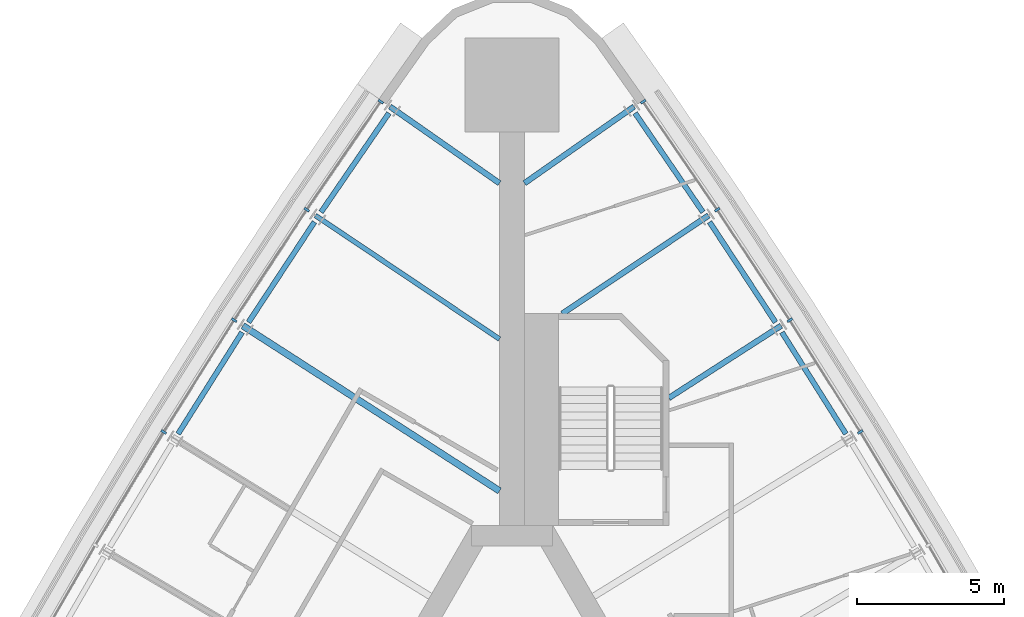
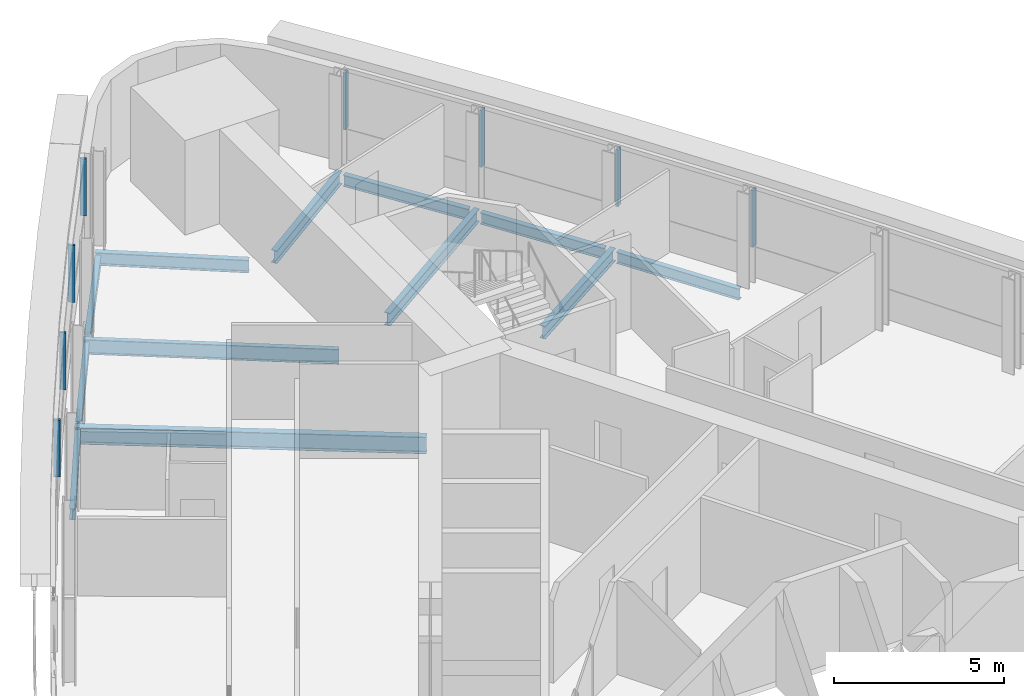
# One storey, part 7 of 14: 12 beams, 8 members, 2 elements without a shape of their own.
"""IFC4 building model written with IfcOpenShell, lengths in metres."""

from ifc_helpers import new_model, si_unit, direction, frame, origin, origin_2d, place, context, subcontext, project, spatial, rectangle, i_section, extrude, material, material_profile, profile_set, type_object, element, aggregate, save


model = new_model("IFC4")

# Units and contexts
model_context = context("Model", 3, precision=1e-05, world=origin(), true_north=direction((0.0, 1.0)))
body_context = subcontext(model_context, "Body", "Model", "MODEL_VIEW")
ifc_project = project(units=[si_unit("LENGTHUNIT", "METRE"), si_unit("AREAUNIT", "SQUARE_METRE"), si_unit("VOLUMEUNIT", "CUBIC_METRE"), si_unit("PLANEANGLEUNIT", "RADIAN"), si_unit("MASSUNIT", "GRAM", prefix="KILO")], contexts=[model_context])

# Site, building, storey
site_placement = place(None, origin())
site = spatial("IfcSite", under=ifc_project, at=site_placement, CompositionType="ELEMENT")
building_placement = place(site_placement, origin())
building = spatial("IfcBuilding", under=site, at=building_placement, Name="Noor Cloister Tower", CompositionType="ELEMENT")
storey_placement = place(building_placement, frame((0.0, 0.0, 76.199951171875)))
storey = spatial("IfcBuildingStorey", under=building, at=storey_placement, Name="L19", CompositionType="ELEMENT", Elevation=76.199951171875)

# Curtain wall, members
ifc_material_1 = material(Name="Aluminium 6063-T6 anodised", Category="aluminium")
curtain_wall_type = type_object("IfcCurtainWallType", Name="Ribbon curtain wall, lower tower CW1", PredefinedType="NOTDEFINED", material=ifc_material_1)
curtain_wall_1_placement = place(storey_placement, origin())
curtain_wall_1 = element("IfcCurtainWall", 1, at=curtain_wall_1_placement, inside=storey, type_object=curtain_wall_type, Name="CW1 L19 NW run 1", PredefinedType="NOTDEFINED")
ifc_material_2 = material(Name="Aluminium 6063-T6 anodised", Category="aluminium")
ifc_material_profile_1 = material_profile(ifc_material_2, rectangle(XDim=0.199951171875, YDim=0.080078125, at=origin_2d()), Name="200 x 80 mullion")
ifc_profile_set_1 = profile_set([ifc_material_profile_1], Name="Aluminium 6063-T6 anodised")
member_type = type_object("IfcMemberType", Name="Mullion CW1 80 x 200", PredefinedType="MULLION", material=ifc_profile_set_1)
member_1_placement = place(storey_placement, frame((-4.46435546875, 25.875732421875, 1.10009765625), z_axis=(0.0, 0.0, 1.0), x_axis=(0.82490173468, -0.56527615209, 0.0)))
member_1 = element("IfcMember", 2, at=member_1_placement, type_object=member_type, Name="CW1 mullion 1", PredefinedType="MULLION", context=body_context, shape_type="SweptSolid", body=[
    extrude(rectangle(XDim=0.199951171875, YDim=0.080078125, at=origin_2d()), origin(), (0.0, 0.0, 1.0), 2.050048828125),
])
member_2_placement = place(storey_placement, frame((-6.98486328125, 22.197509765625, 1.10009765625), z_axis=(0.0, 0.0, 1.0), x_axis=(0.830316014235, -0.557292846272, 0.0)))
member_2 = element("IfcMember", 3, at=member_2_placement, type_object=member_type, Name="CW1 mullion 2", PredefinedType="MULLION", context=body_context, shape_type="SweptSolid", body=[
    extrude(rectangle(XDim=0.199951171875, YDim=0.080078125, at=origin_2d()), origin(), (0.0, 0.0, 1.0), 2.050048828125),
])
member_3_placement = place(storey_placement, frame((-9.455322265625, 18.43896484375, 1.10009765625), z_axis=(0.0, 0.0, 1.0), x_axis=(0.840912290577, -0.541171432687, 0.0)))
member_3 = element("IfcMember", 4, at=member_3_placement, type_object=member_type, Name="CW1 mullion 3", PredefinedType="MULLION", context=body_context, shape_type="SweptSolid", body=[
    extrude(rectangle(XDim=0.199951171875, YDim=0.080078125, at=origin_2d()), origin(), (0.0, 0.0, 1.0), 2.050048828125),
])
member_4_placement = place(storey_placement, frame((-11.85302734375, 14.633056640625, 1.10009765625), z_axis=(0.0, 0.0, 1.0), x_axis=(0.851195604462, -0.524848590496, 0.0)))
member_4 = element("IfcMember", 5, at=member_4_placement, type_object=member_type, Name="CW1 mullion 4", PredefinedType="MULLION", context=body_context, shape_type="SweptSolid", body=[
    extrude(rectangle(XDim=0.199951171875, YDim=0.080078125, at=origin_2d()), origin(), (0.0, 0.0, 1.0), 2.050048828125),
])
aggregate(curtain_wall_1, [member_1, member_2, member_3, member_4])

curtain_wall_2_placement = place(storey_placement, origin())
curtain_wall_2 = element("IfcCurtainWall", 6, at=curtain_wall_2_placement, inside=storey, type_object=curtain_wall_type, Name="CW1 L19 NE run 3", PredefinedType="NOTDEFINED")
member_5_placement = place(storey_placement, frame((11.85302734375, 14.633056640625, 1.10009765625), z_axis=(0.0, 0.0, 1.0), x_axis=(-0.851195604462, -0.524848590496, 0.0)))
member_5 = element("IfcMember", 7, at=member_5_placement, type_object=member_type, Name="CW1 mullion 7", PredefinedType="MULLION", context=body_context, shape_type="SweptSolid", body=[
    extrude(rectangle(XDim=0.199951171875, YDim=0.080078125, at=origin_2d()), origin(), (0.0, 0.0, 1.0), 2.050048828125),
])
member_6_placement = place(storey_placement, frame((9.455322265625, 18.43896484375, 1.10009765625), z_axis=(0.0, 0.0, 1.0), x_axis=(-0.840912290577, -0.541171432687, 0.0)))
member_6 = element("IfcMember", 8, at=member_6_placement, type_object=member_type, Name="CW1 mullion 8", PredefinedType="MULLION", context=body_context, shape_type="SweptSolid", body=[
    extrude(rectangle(XDim=0.199951171875, YDim=0.080078125, at=origin_2d()), origin(), (0.0, 0.0, 1.0), 2.050048828125),
])
member_7_placement = place(storey_placement, frame((6.98486328125, 22.197509765625, 1.10009765625), z_axis=(0.0, 0.0, 1.0), x_axis=(-0.830316014235, -0.557292846272, 0.0)))
member_7 = element("IfcMember", 9, at=member_7_placement, type_object=member_type, Name="CW1 mullion 9", PredefinedType="MULLION", context=body_context, shape_type="SweptSolid", body=[
    extrude(rectangle(XDim=0.199951171875, YDim=0.080078125, at=origin_2d()), origin(), (0.0, 0.0, 1.0), 2.050048828125),
])
member_8_placement = place(storey_placement, frame((4.46435546875, 25.875732421875, 1.10009765625), z_axis=(0.0, 0.0, 1.0), x_axis=(-0.82490173468, -0.56527615209, 0.0)))
member_8 = element("IfcMember", 10, at=member_8_placement, type_object=member_type, Name="CW1 mullion 10", PredefinedType="MULLION", context=body_context, shape_type="SweptSolid", body=[
    extrude(rectangle(XDim=0.199951171875, YDim=0.080078125, at=origin_2d()), origin(), (0.0, 0.0, 1.0), 2.050048828125),
])
aggregate(curtain_wall_2, [member_5, member_6, member_7, member_8])

# Beams
ifc_material_3 = material(Name="Steel ASTM A992 Gr 50", Category="steel")
ifc_material_profile_2 = material_profile(ifc_material_3, i_section(OverallWidth=0.19091796875, OverallDepth=0.45703125, WebThickness=0.009033203125, FlangeThickness=0.014404296875, FilletRadius=0.01025390625, at=origin_2d()), Name="W460x74")
ifc_profile_set_2 = profile_set([ifc_material_profile_2], Name="Steel ASTM A992 Gr 50")
beam_type_1 = type_object("IfcBeamType", Name="Radial beam W460x74", PredefinedType="BEAM", material=ifc_profile_set_2)
beam_1_placement = place(storey_placement, frame((-4.153076171875, 25.705810546875, -0.428466796875), z_axis=(0.819408351842, -0.573210217051, 0.0), x_axis=(0.573210217051, 0.819408351842, 0.0)))
element("IfcBeam", 11, at=beam_1_placement, inside=storey, type_object=beam_type_1, Name="Radial beam NW 01 L19", PredefinedType="BEAM", context=body_context, shape_type="SweptSolid", body=[
    extrude(i_section(OverallWidth=0.19091796875, OverallDepth=0.45703125, WebThickness=0.009033203125, FlangeThickness=0.014404296875, FilletRadius=0.01025390625, at=origin_2d()), origin(), (0.0, 0.0, 1.0), 4.549560546875),
])
beam_2_placement = place(storey_placement, frame((9.158447265625, 18.247802734375, -0.428466796875), z_axis=(-0.840906162244, -0.541180955226, 0.0), x_axis=(0.541180955226, -0.840906162244, 0.0)))
element("IfcBeam", 12, at=beam_2_placement, inside=storey, type_object=beam_type_1, Name="Radial beam NE 08 L19", PredefinedType="BEAM", context=body_context, shape_type="SweptSolid", body=[
    extrude(i_section(OverallWidth=0.19091796875, OverallDepth=0.45703125, WebThickness=0.009033203125, FlangeThickness=0.014404296875, FilletRadius=0.01025390625, at=origin_2d()), origin(), (0.0, 0.0, 1.0), 4.5458984375),
])
beam_3_placement = place(storey_placement, frame((6.691650390625, 22.0009765625, -0.428466796875), z_axis=(-0.830312566173, -0.557297983538, 0.0), x_axis=(0.557297983538, -0.830312566173, 0.0)))
element("IfcBeam", 13, at=beam_3_placement, inside=storey, type_object=beam_type_1, Name="Radial beam NE 09 L19", PredefinedType="BEAM", context=body_context, shape_type="SweptSolid", body=[
    extrude(i_section(OverallWidth=0.19091796875, OverallDepth=0.45703125, WebThickness=0.009033203125, FlangeThickness=0.014404296875, FilletRadius=0.01025390625, at=origin_2d()), origin(), (0.0, 0.0, 1.0), 6.001220703125),
])
beam_4_placement = place(storey_placement, frame((4.153076171875, 25.705810546875, -0.428466796875), z_axis=(-0.819408351842, -0.573210217051, 0.0), x_axis=(0.573210217051, -0.819408351842, 0.0)))
element("IfcBeam", 14, at=beam_4_placement, inside=storey, type_object=beam_type_1, Name="Radial beam NE 10 L19", PredefinedType="BEAM", context=body_context, shape_type="SweptSolid", body=[
    extrude(i_section(OverallWidth=0.19091796875, OverallDepth=0.45703125, WebThickness=0.009033203125, FlangeThickness=0.014404296875, FilletRadius=0.01025390625, at=origin_2d()), origin(), (0.0, 0.0, 1.0), 4.549560546875),
])
ifc_material_4 = material(Name="Steel ASTM A992 Gr 50", Category="steel")
ifc_material_profile_3 = material_profile(ifc_material_4, i_section(OverallWidth=0.166015625, OverallDepth=0.528076171875, WebThickness=0.009765625, FlangeThickness=0.013671875, FilletRadius=0.0126953125, at=origin_2d()), Name="W530x74")
ifc_profile_set_3 = profile_set([ifc_material_profile_3], Name="Steel ASTM A992 Gr 50")
beam_type_2 = type_object("IfcBeamType", Name="Radial beam W530x74", PredefinedType="BEAM", material=ifc_profile_set_3)
beam_5_placement = place(storey_placement, frame((-6.691650390625, 22.0009765625, -0.4638671875), z_axis=(0.830299395912, -0.557317605274, 0.0), x_axis=(0.557317605274, 0.830299395912, 0.0)))
element("IfcBeam", 15, at=beam_5_placement, inside=storey, type_object=beam_type_2, Name="Radial beam NW 02 L19", PredefinedType="BEAM", context=body_context, shape_type="SweptSolid", body=[
    extrude(i_section(OverallWidth=0.166015625, OverallDepth=0.528076171875, WebThickness=0.009765625, FlangeThickness=0.013671875, FilletRadius=0.0126953125, at=origin_2d()), origin(), (0.0, 0.0, 1.0), 7.54736328125),
])
ifc_material_5 = material(Name="Steel ASTM A992 Gr 50", Category="steel")
ifc_material_profile_4 = material_profile(ifc_material_5, i_section(OverallWidth=0.22802734375, OverallDepth=0.60205078125, WebThickness=0.010498046875, FlangeThickness=0.014892578125, FilletRadius=0.0126953125, at=origin_2d()), Name="W610x101")
ifc_profile_set_4 = profile_set([ifc_material_profile_4], Name="Steel ASTM A992 Gr 50")
beam_type_3 = type_object("IfcBeamType", Name="Radial beam W610x101", PredefinedType="BEAM", material=ifc_profile_set_4)
beam_6_placement = place(storey_placement, frame((-9.158447265625, 18.247802734375, -0.5009765625), z_axis=(0.840903407515, -0.541185235598, 0.0), x_axis=(0.541185235598, 0.840903407515, 0.0)))
element("IfcBeam", 16, at=beam_6_placement, inside=storey, type_object=beam_type_3, Name="Radial beam NW 03 L19", PredefinedType="BEAM", context=body_context, shape_type="SweptSolid", body=[
    extrude(i_section(OverallWidth=0.22802734375, OverallDepth=0.60205078125, WebThickness=0.010498046875, FlangeThickness=0.014892578125, FilletRadius=0.0126953125, at=origin_2d()), origin(), (0.0, 0.0, 1.0), 10.3857421875),
])
ifc_material_6 = material(Name="Steel ASTM A992 Gr 50", Category="steel")
ifc_material_profile_5 = material_profile(ifc_material_6, i_section(OverallWidth=0.177978515625, OverallDepth=0.406005859375, WebThickness=0.0078125, FlangeThickness=0.0126953125, FilletRadius=0.01025390625, at=origin_2d()), Name="W410x60")
ifc_profile_set_5 = profile_set([ifc_material_profile_5], Name="Steel ASTM A992 Gr 50")
beam_type_4 = type_object("IfcBeamType", Name="Spandrel beam W410x60", PredefinedType="SPANDREL", material=ifc_profile_set_5)
for number, where, z_axis, x_axis, name in (
    (17, (-4.187744140625, 25.4833984375, -0.40283203125), (-0.56528792339, -0.824893668099, 0.0), (0.824893668099, -0.56528792339, 0.0), "Spandrel beam NW 01 L19"),
    (18, (-6.72216796875, 21.778076171875, -0.40283203125), (-0.54926851385, -0.835645917655, 0.0), (0.835645917655, -0.54926851385, 0.0), "Spandrel beam NW 02 L19"),
):
    element("IfcBeam", number, at=place(storey_placement, frame(where, z_axis=z_axis, x_axis=x_axis)), inside=storey, type_object=beam_type_4, Name=name, PredefinedType="SPANDREL", context=body_context, shape_type="SweptSolid", body=[
        extrude(i_section(OverallWidth=0.177978515625, OverallDepth=0.406005859375, WebThickness=0.0078125, FlangeThickness=0.0126953125, FilletRadius=0.01025390625, at=origin_2d()), origin(), (0.0, 0.0, 1.0), 4.085205078125),
    ])
for number, where, z_axis, x_axis, name in (
    (19, (-9.1845703125, 18.0244140625, -0.40283203125), (-0.533057335155, -0.846079120081, 0.0), (0.846079120081, -0.533057335155, 0.0), "Spandrel beam NW 03 L19"),
    (20, (11.3623046875, 14.56787109375, -0.40283203125), (-0.533057335155, 0.846079120081, 0.0), (-0.846079120081, -0.533057335155, 0.0), "Spandrel beam NE 07 L19"),
):
    element("IfcBeam", number, at=place(storey_placement, frame(where, z_axis=z_axis, x_axis=x_axis)), inside=storey, type_object=beam_type_4, Name=name, PredefinedType="SPANDREL", context=body_context, shape_type="SweptSolid", body=[
        extrude(i_section(OverallWidth=0.177978515625, OverallDepth=0.406005859375, WebThickness=0.0078125, FlangeThickness=0.0126953125, FilletRadius=0.01025390625, at=origin_2d()), origin(), (0.0, 0.0, 1.0), 4.08544921875),
    ])
for number, where, z_axis, x_axis, name in (
    (21, (8.966064453125, 18.3642578125, -0.40283203125), (-0.54926851385, 0.835645917655, 0.0), (-0.835645917655, -0.54926851385, 0.0), "Spandrel beam NE 08 L19"),
    (22, (6.4970703125, 22.113525390625, -0.40283203125), (-0.56528792339, 0.824893668099, 0.0), (-0.824893668099, -0.56528792339, 0.0), "Spandrel beam NE 09 L19"),
):
    element("IfcBeam", number, at=place(storey_placement, frame(where, z_axis=z_axis, x_axis=x_axis)), inside=storey, type_object=beam_type_4, Name=name, PredefinedType="SPANDREL", context=body_context, shape_type="SweptSolid", body=[
        extrude(i_section(OverallWidth=0.177978515625, OverallDepth=0.406005859375, WebThickness=0.0078125, FlangeThickness=0.0126953125, FilletRadius=0.01025390625, at=origin_2d()), origin(), (0.0, 0.0, 1.0), 4.085205078125),
    ])

save(model, "model.ifc")
